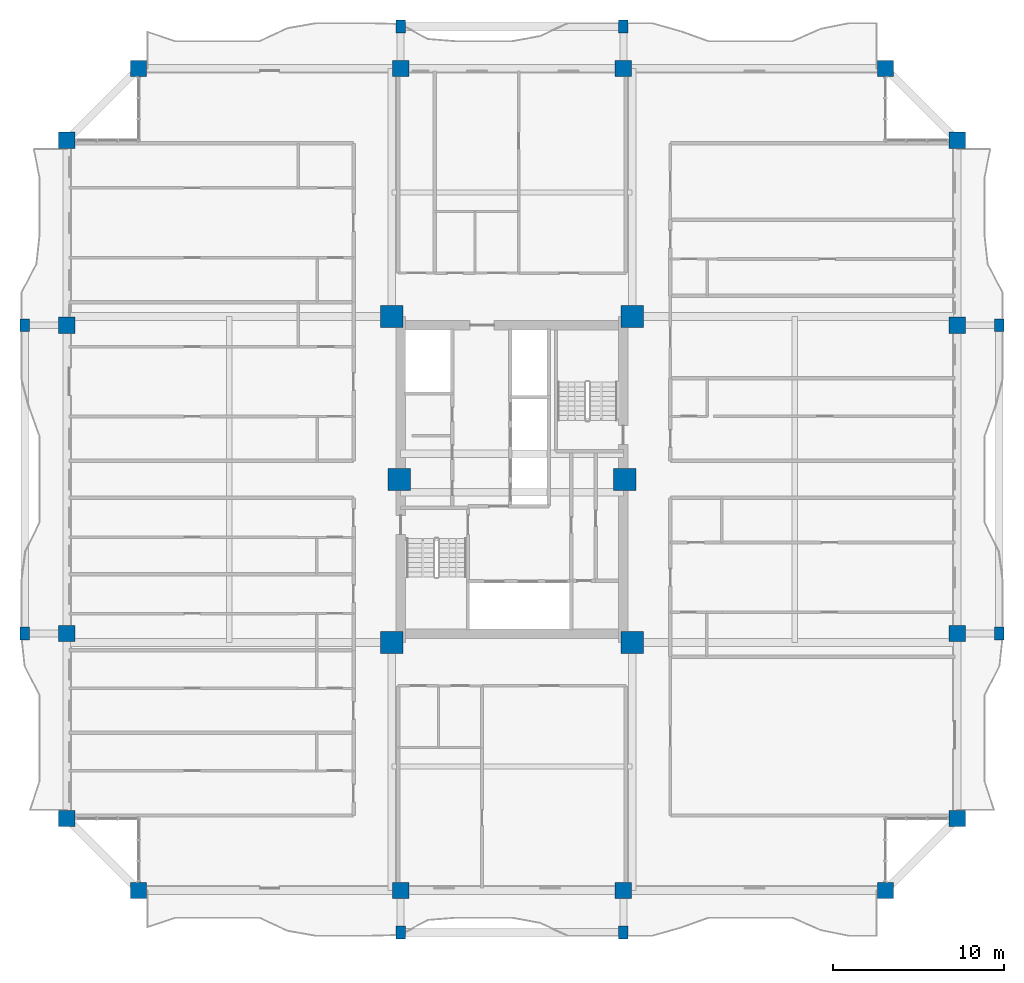
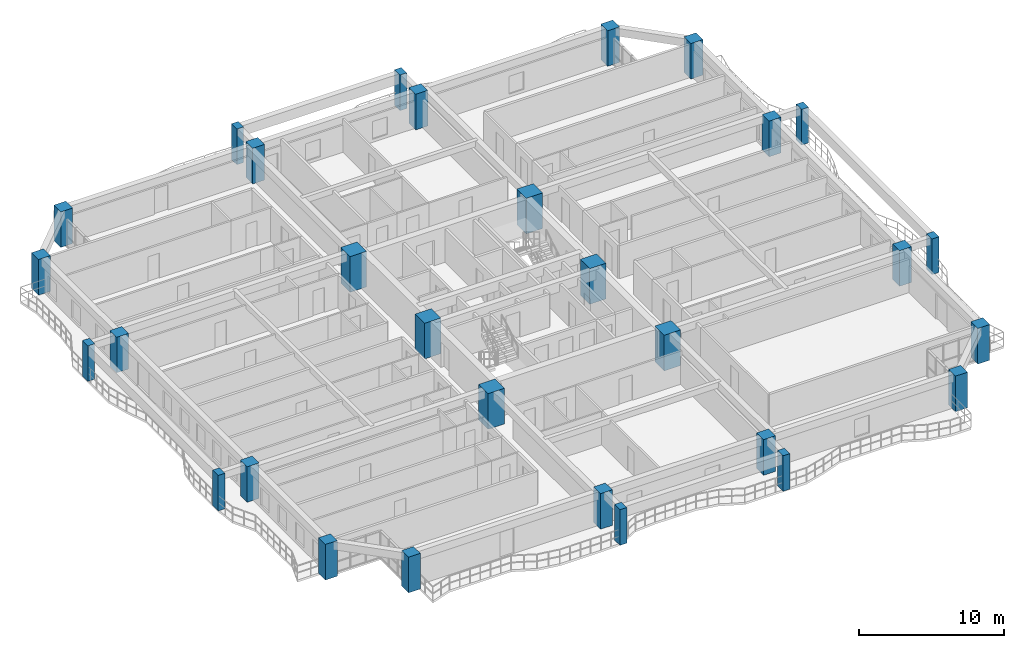
# One storey, part 1 of 24: 30 columns.
"""IFC4 building model written with IfcOpenShell, lengths in metres."""

from ifc_helpers import new_model, si_unit, direction, frame, origin, origin_2d, place, context, subcontext, project, spatial, rectangle, extrude, source, transform, mapped, material, material_profile, profile_set, type_object, element, save


model = new_model("IFC4")

# Units and contexts
model_context = context("Model", 3, precision=1e-05, world=origin(), true_north=direction((0.0, 1.0)))
body_context = subcontext(model_context, "Body", "Model", "MODEL_VIEW")
ifc_project = project(units=[si_unit("LENGTHUNIT", "METRE"), si_unit("AREAUNIT", "SQUARE_METRE"), si_unit("VOLUMEUNIT", "CUBIC_METRE"), si_unit("PLANEANGLEUNIT", "RADIAN"), si_unit("MASSUNIT", "GRAM", prefix="KILO")], contexts=[model_context])

# Site, building, storey
site_placement = place(None, origin())
site = spatial("IfcSite", under=ifc_project, at=site_placement, CompositionType="ELEMENT")
building_placement = place(site_placement, origin())
building = spatial("IfcBuilding", under=site, at=building_placement, Name="Saelheon Loggia Tower", CompositionType="ELEMENT")
storey_placement = place(building_placement, frame((0.0, 0.0, 126.75)))
storey = spatial("IfcBuildingStorey", under=building, at=storey_placement, Name="L40", CompositionType="ELEMENT", Elevation=126.75)

# Columns
ifc_material_1 = material(Name="Precast Concrete C45/55", Category="concrete")
ifc_material_profile_1 = material_profile(ifc_material_1, rectangle(XDim=0.550048828125, YDim=0.75, at=origin_2d()), Name="RC-550x750")
ifc_profile_set_1 = profile_set([ifc_material_profile_1], Name="Precast Concrete C45/55")
column_type_1 = type_object("IfcColumnType", Name="Col_Loggia_Pilaster_750", PredefinedType="PILASTER", material=ifc_profile_set_1)
shared_shape_1 = source(origin(), body_context, "Body", "SweptSolid", [
    extrude(rectangle(XDim=0.550048828125, YDim=0.75, at=origin_2d()), origin(), (0.0, 0.0, 1.0), 3.0),
])
for number, where, z_axis, x_axis, name in (
    (1, (31.5, 0.550048828125, 0.0), (0.0, 0.0, 1.0), (1.0, 0.0, 0.0), "L40 Loggia Frame Pilaster LP-S1"),
    (2, (44.5, 0.550048828125, 0.0), (0.0, 0.0, 1.0), (1.0, 0.0, 0.0), "L40 Loggia Frame Pilaster LP-S2"),
    (3, (31.5, 53.449951171875, 0.0), (0.0, 0.0, 1.0), (1.0, 0.0, 0.0), "L40 Loggia Frame Pilaster LP-N1"),
    (4, (44.5, 53.449951171875, 0.0), (0.0, 0.0, 1.0), (1.0, 0.0, 0.0), "L40 Loggia Frame Pilaster LP-N2"),
    (5, (66.449951171875, 18.0, 0.0), (0.0, 0.0, 1.0), (1.0, 0.0, 0.0), "L40 Loggia Frame Pilaster LP-E1"),
    (6, (66.449951171875, 36.0, 0.0), (0.0, 0.0, 1.0), (1.0, 0.0, 0.0), "L40 Loggia Frame Pilaster LP-E2"),
    (7, (9.550048828125, 18.0, 0.0), (0.0, 0.0, 1.0), (1.0, 0.0, 0.0), "L40 Loggia Frame Pilaster LP-W1"),
    (8, (9.550048828125, 36.0, 0.0), (0.0, 0.0, 1.0), (1.0, 0.0, 0.0), "L40 Loggia Frame Pilaster LP-W2"),
):
    element("IfcColumn", number, at=place(storey_placement, frame(where, z_axis=z_axis, x_axis=x_axis)), inside=storey, type_object=column_type_1, Name=name, PredefinedType="PILASTER", context=body_context, shape_type="MappedRepresentation", body=[
        mapped(shared_shape_1, transform((0.0, 0.0, 0.0), scale=1.0)),
    ])
ifc_material_2 = material(Name="Concrete C60/75", Category="concrete")
ifc_material_profile_2 = material_profile(ifc_material_2, rectangle(XDim=1.300048828125, YDim=1.300048828125, at=origin_2d()), Name="RC-1300x1300")
ifc_profile_set_2 = profile_set([ifc_material_profile_2], Name="Concrete C60/75")
column_type_2 = type_object("IfcColumnType", Name="Col_Core_RC1300", PredefinedType="COLUMN", material=ifc_profile_set_2)
shared_shape_2 = source(origin(), body_context, "Body", "SweptSolid", [
    extrude(rectangle(XDim=1.300048828125, YDim=1.300048828125, at=origin_2d()), origin(), (0.0, 0.0, 1.0), 3.0),
])
for number, where, z_axis, x_axis, name in (
    (9, (30.97998046875, 17.47998046875, 0.0), (0.0, 0.0, 1.0), (1.0, 0.0, 0.0), "L40 Core Column CR-SW"),
    (10, (45.02001953125, 17.47998046875, 0.0), (0.0, 0.0, 1.0), (1.0, 0.0, 0.0), "L40 Core Column CR-SE"),
    (11, (30.97998046875, 36.52001953125, 0.0), (0.0, 0.0, 1.0), (1.0, 0.0, 0.0), "L40 Core Column CR-NW"),
    (12, (45.02001953125, 36.52001953125, 0.0), (0.0, 0.0, 1.0), (1.0, 0.0, 0.0), "L40 Core Column CR-NE"),
    (13, (31.419921875, 27.0, 0.0), (0.0, 0.0, 1.0), (1.0, 0.0, 0.0), "L40 Core Column CR-MW"),
    (14, (44.580078125, 27.0, 0.0), (0.0, 0.0, 1.0), (1.0, 0.0, 0.0), "L40 Core Column CR-ME"),
):
    element("IfcColumn", number, at=place(storey_placement, frame(where, z_axis=z_axis, x_axis=x_axis)), inside=storey, type_object=column_type_2, Name=name, PredefinedType="COLUMN", context=body_context, shape_type="MappedRepresentation", body=[
        mapped(shared_shape_2, transform((0.0, 0.0, 0.0), scale=1.0)),
    ])
ifc_material_3 = material(Name="Concrete C50/60", Category="concrete")
ifc_material_profile_3 = material_profile(ifc_material_3, rectangle(XDim=0.949951171875, YDim=0.949951171875, at=origin_2d()), Name="RC-950x950")
ifc_profile_set_3 = profile_set([ifc_material_profile_3], Name="Concrete C50/60")
column_type_3 = type_object("IfcColumnType", Name="Col_Perim_RC950", PredefinedType="COLUMN", material=ifc_profile_set_3)
shared_shape_3 = source(origin(), body_context, "Body", "SweptSolid", [
    extrude(rectangle(XDim=0.949951171875, YDim=0.949951171875, at=origin_2d()), origin(), (0.0, 0.0, 1.0), 3.0),
])
for number, where, z_axis, x_axis, name in (
    (15, (16.199951171875, 3.0, 0.0), (0.0, 0.0, 1.0), (1.0, 0.0, 0.0), "L40 Perimeter Column TP-S1"),
    (16, (31.5, 3.0, 0.0), (0.0, 0.0, 1.0), (1.0, 0.0, 0.0), "L40 Perimeter Column TP-SA"),
    (17, (44.5, 3.0, 0.0), (0.0, 0.0, 1.0), (1.0, 0.0, 0.0), "L40 Perimeter Column TP-SB"),
    (18, (59.800048828125, 3.0, 0.0), (0.0, 0.0, 1.0), (1.0, 0.0, 0.0), "L40 Perimeter Column TP-S2"),
    (19, (64.0, 7.199951171875, 0.0), (0.0, 0.0, 1.0), (1.0, 0.0, 0.0), "L40 Perimeter Column TP-E1"),
    (20, (64.0, 18.0, 0.0), (0.0, 0.0, 1.0), (1.0, 0.0, 0.0), "L40 Perimeter Column TP-EA"),
    (21, (64.0, 36.0, 0.0), (0.0, 0.0, 1.0), (1.0, 0.0, 0.0), "L40 Perimeter Column TP-EB"),
    (22, (64.0, 46.800048828125, 0.0), (0.0, 0.0, 1.0), (1.0, 0.0, 0.0), "L40 Perimeter Column TP-E2"),
    (23, (59.800048828125, 51.0, 0.0), (0.0, 0.0, 1.0), (1.0, 0.0, 0.0), "L40 Perimeter Column TP-N2"),
    (24, (44.5, 51.0, 0.0), (0.0, 0.0, 1.0), (1.0, 0.0, 0.0), "L40 Perimeter Column TP-NB"),
    (25, (31.5, 51.0, 0.0), (0.0, 0.0, 1.0), (1.0, 0.0, 0.0), "L40 Perimeter Column TP-NA"),
    (26, (16.199951171875, 51.0, 0.0), (0.0, 0.0, 1.0), (1.0, 0.0, 0.0), "L40 Perimeter Column TP-N1"),
    (27, (12.0, 46.800048828125, 0.0), (0.0, 0.0, 1.0), (1.0, 0.0, 0.0), "L40 Perimeter Column TP-W2"),
    (28, (12.0, 36.0, 0.0), (0.0, 0.0, 1.0), (1.0, 0.0, 0.0), "L40 Perimeter Column TP-WB"),
    (29, (12.0, 18.0, 0.0), (0.0, 0.0, 1.0), (1.0, 0.0, 0.0), "L40 Perimeter Column TP-WA"),
    (30, (12.0, 7.199951171875, 0.0), (0.0, 0.0, 1.0), (1.0, 0.0, 0.0), "L40 Perimeter Column TP-W1"),
):
    element("IfcColumn", number, at=place(storey_placement, frame(where, z_axis=z_axis, x_axis=x_axis)), inside=storey, type_object=column_type_3, Name=name, PredefinedType="COLUMN", context=body_context, shape_type="MappedRepresentation", body=[
        mapped(shared_shape_3, transform((0.0, 0.0, 0.0), scale=1.0)),
    ])

save(model, "model.ifc")
